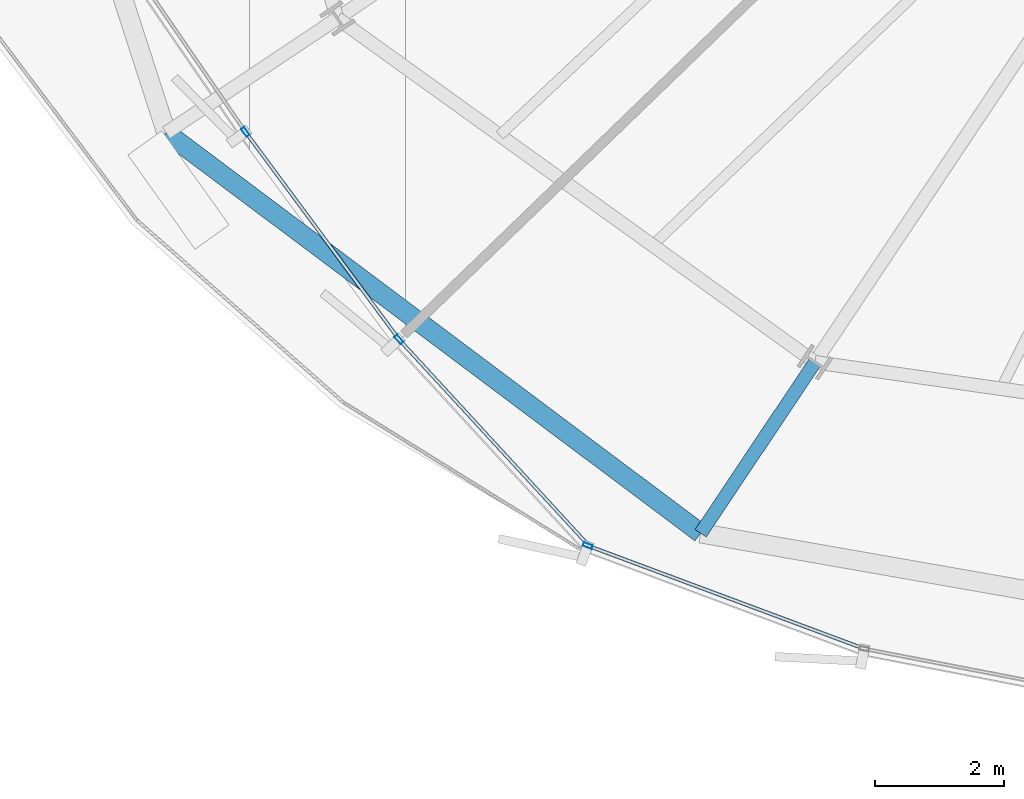
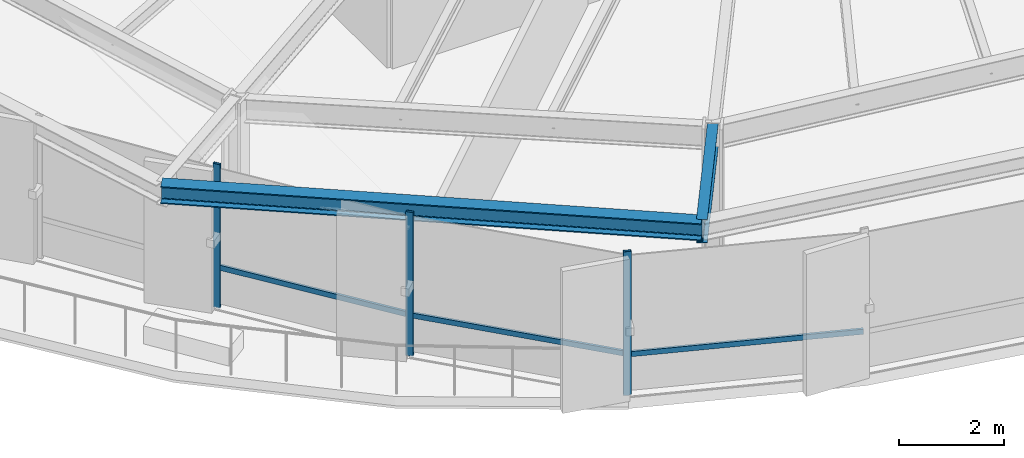
# One storey, part 2 of 33: 6 members, 2 beams, 1 element without a shape of its own.
"""IFC4 building model written with IfcOpenShell, lengths in metres."""

from ifc_helpers import new_model, si_unit, direction, frame, origin, origin_2d, place, context, subcontext, project, spatial, hollow_rectangle, i_section, extrude, source, transform, mapped, material, layer, layer_set, material_profile, profile_set, type_object, element, aggregate, save


model = new_model("IFC4")

# Units and contexts
model_context = context("Model", 3, precision=1e-05, world=origin(), true_north=direction((0.0, 1.0)))
body_context = subcontext(model_context, "Body", "Model", "MODEL_VIEW")
ifc_project = project(units=[si_unit("LENGTHUNIT", "METRE"), si_unit("AREAUNIT", "SQUARE_METRE"), si_unit("VOLUMEUNIT", "CUBIC_METRE"), si_unit("PLANEANGLEUNIT", "RADIAN"), si_unit("MASSUNIT", "GRAM", prefix="KILO"), si_unit("THERMODYNAMICTEMPERATUREUNIT", "KELVIN")], contexts=[model_context])

# Site, building, storey
site_placement = place(None, origin())
site = spatial("IfcSite", under=ifc_project, at=site_placement, CompositionType="ELEMENT")
building_placement = place(site_placement, origin())
building = spatial("IfcBuilding", under=site, at=building_placement, Name="Kethvar Cultural Tower", CompositionType="ELEMENT")
storey_placement = place(building_placement, frame((0.0, 0.0, 110.800048828125)))
storey = spatial("IfcBuildingStorey", under=building, at=storey_placement, Name="L27", CompositionType="ELEMENT", Elevation=110.800048828125)

# Beams
ifc_material_1 = material(Name="Steel S355J2", Category="steel")
ifc_material_profile_1 = material_profile(ifc_material_1, i_section(OverallWidth=0.2099609375, OverallDepth=0.550048828125, WebThickness=0.010986328125, FlangeThickness=0.01708984375, FilletRadius=0.02392578125, at=origin_2d()), Name="Steel S355J2 — IPE550")
ifc_profile_set_1 = profile_set([ifc_material_profile_1], Name="Steel S355J2 — IPE550")
beam_type_1 = type_object("IfcBeamType", Name="BM-IPE550", PredefinedType="BEAM", material=ifc_profile_set_1)
shared_shape_1 = source(origin(), body_context, "Body", "SweptSolid", [
    extrude(i_section(OverallWidth=0.2099609375, OverallDepth=0.550048828125, WebThickness=0.010986328125, FlangeThickness=0.01708984375, FilletRadius=0.02392578125, at=origin_2d()), origin(), (0.0, 0.0, 1.0), 3.199951171875),
])
beam_1_placement = place(storey_placement, frame((34.350830078125, 9.16845703125, 3.072998046875), z_axis=(-0.555580212716, -0.831462943996, 0.0), x_axis=(0.831462943996, -0.555580212716, 0.0)))
element("IfcBeam", 1, at=beam_1_placement, inside=storey, type_object=beam_type_1, Name="L27 Perimeter Cantilever Beam RC-11", PredefinedType="BEAM", context=body_context, shape_type="MappedRepresentation", body=[
    mapped(shared_shape_1, transform((0.0, 0.0, 0.0), scale=1.0)),
])
ifc_material_profile_2 = material_profile(ifc_material_1, i_section(OverallWidth=0.300048828125, OverallDepth=0.39990234375, WebThickness=0.013427734375, FlangeThickness=0.02392578125, FilletRadius=0.027099609375, at=origin_2d()), Name="Steel S355J2 — HEB400")
ifc_profile_set_2 = profile_set([ifc_material_profile_2], Name="Steel S355J2 — HEB400")
beam_type_2 = type_object("IfcBeamType", Name="BM-SP400", PredefinedType="SPANDREL", material=ifc_profile_set_2)
shared_shape_2 = source(origin(), body_context, "Body", "SweptSolid", [
    extrude(i_section(OverallWidth=0.300048828125, OverallDepth=0.39990234375, WebThickness=0.013427734375, FlangeThickness=0.02392578125, FilletRadius=0.027099609375, at=origin_2d()), origin(), (0.0, 0.0, 1.0), 10.38916015625),
])
beam_2_placement = place(storey_placement, frame((24.260009765625, 12.7392578125, 3.14794921875), z_axis=(0.800152249906, -0.599796946449, 0.0), x_axis=(0.599796946449, 0.800152249906, 0.0)))
element("IfcBeam", 2, at=beam_2_placement, inside=storey, type_object=beam_type_2, Name="L27 Perimeter Spandrel Beam SP-10", PredefinedType="SPANDREL", context=body_context, shape_type="MappedRepresentation", body=[
    mapped(shared_shape_2, transform((0.0, 0.0, 0.0), scale=1.0)),
])

# Curtain wall, members
ifc_material_2 = material(Name="Aluminium 6063-T6", Category="aluminium")
ifc_layer = layer(ifc_material_2, 0.179931640625, Name="Aluminium 6063-T6", Category="aluminium")
ifc_layer_set = layer_set([ifc_layer], Name="Aluminium 6063-T6 (180 mm)")
curtain_wall_type = type_object("IfcCurtainWallType", Name="CW-SYS-03-Z2", PredefinedType="NOTDEFINED", material=ifc_layer_set)
curtain_wall_placement = place(storey_placement, origin())
curtain_wall = element("IfcCurtainWall", 3, at=curtain_wall_placement, inside=storey, type_object=curtain_wall_type, Name="L27 Curtain Wall Run 04", PredefinedType="NOTDEFINED")
ifc_material_profile_3 = material_profile(ifc_material_2, hollow_rectangle(XDim=0.06005859375, YDim=0.14990234375, WallThickness=0.0048828125, at=origin_2d()), Name="Aluminium 6063-T6 — RHS150x60x5")
ifc_profile_set_3 = profile_set([ifc_material_profile_3], Name="Aluminium 6063-T6 — RHS150x60x5")
member_type_1 = type_object("IfcMemberType", Name="CW-SYS-03-Z2-MUL", PredefinedType="MULLION", material=ifc_profile_set_3)
shared_shape_3 = source(origin(), body_context, "Body", "SweptSolid", [
    extrude(hollow_rectangle(XDim=0.06005859375, YDim=0.14990234375, WallThickness=0.0048828125, at=origin_2d()), origin(), (0.0, 0.0, 1.0), 3.349853515625),
])
member_1_placement = place(storey_placement, frame((25.490478515625, 12.751708984375, 0.0), z_axis=(0.0, 0.0, 1.0), x_axis=(0.803784183305, 0.594920991954, 0.0)))
member_1 = element("IfcMember", 4, at=member_1_placement, type_object=member_type_1, Name="CW-L27-R04 Mullion 2", PredefinedType="MULLION", context=body_context, shape_type="MappedRepresentation", body=[
    mapped(shared_shape_3, transform((0.0, 0.0, 0.0), scale=1.0)),
])
member_2_placement = place(storey_placement, frame((27.878662109375, 9.524169921875, 0.0), z_axis=(0.0, 0.0, 1.0), x_axis=(0.735766215235, 0.677235613741, 0.0)))
member_2 = element("IfcMember", 5, at=member_2_placement, type_object=member_type_1, Name="CW-L27-R04 Mullion 3", PredefinedType="MULLION", context=body_context, shape_type="MappedRepresentation", body=[
    mapped(shared_shape_3, transform((0.0, 0.0, 0.0), scale=1.0)),
])
member_3_placement = place(storey_placement, frame((30.816650390625, 6.31396484375, 0.0), z_axis=(0.0, 0.0, 1.0), x_axis=(0.349275371331, 0.937020125174, 0.0)))
member_3 = element("IfcMember", 6, at=member_3_placement, type_object=member_type_1, Name="CW-L27-R04 Mullion 4", PredefinedType="MULLION", context=body_context, shape_type="MappedRepresentation", body=[
    mapped(shared_shape_3, transform((0.0, 0.0, 0.0), scale=1.0)),
])
ifc_material_profile_4 = material_profile(ifc_material_2, hollow_rectangle(XDim=0.054931640625, YDim=0.1201171875, WallThickness=0.00390625, at=origin_2d()), Name="Aluminium 6063-T6 — RHS120x55x4")
ifc_profile_set_4 = profile_set([ifc_material_profile_4], Name="Aluminium 6063-T6 — RHS120x55x4")
member_type_2 = type_object("IfcMemberType", Name="CW-SYS-03-Z2-TRN", PredefinedType="USERDEFINED", material=ifc_profile_set_4)
shared_shape_4 = source(origin(), body_context, "Body", "SweptSolid", [
    extrude(hollow_rectangle(XDim=0.054931640625, YDim=0.1201171875, WallThickness=0.00390625, at=origin_2d()), origin(), (0.0, 0.0, 1.0), 3.94091796875),
])
member_4_placement = place(storey_placement, frame((25.51611328125, 12.717041015625, 0.949951171875), z_axis=(0.594903048053, -0.803797464177, 0.0), x_axis=(0.803797464177, 0.594903048053, 0.0)))
member_4 = element("IfcMember", 7, at=member_4_placement, type_object=member_type_2, Name="CW-L27-R04 Transom 2", ObjectType="TRANSOM", PredefinedType="USERDEFINED", context=body_context, shape_type="MappedRepresentation", body=[
    mapped(shared_shape_4, transform((0.0, 0.0, 0.0), scale=1.0)),
])
shared_shape_5 = source(origin(), body_context, "Body", "SweptSolid", [
    extrude(hollow_rectangle(XDim=0.054931640625, YDim=0.1201171875, WallThickness=0.00390625, at=origin_2d()), origin(), (0.0, 0.0, 1.0), 4.317138671875),
])
member_5_placement = place(storey_placement, frame((27.907958984375, 9.4921875, 0.949951171875), z_axis=(0.677264775197, -0.735739372521, 0.0), x_axis=(0.735739372521, 0.677264775197, 0.0)))
member_5 = element("IfcMember", 8, at=member_5_placement, type_object=member_type_2, Name="CW-L27-R04 Transom 3", ObjectType="TRANSOM", PredefinedType="USERDEFINED", context=body_context, shape_type="MappedRepresentation", body=[
    mapped(shared_shape_5, transform((0.0, 0.0, 0.0), scale=1.0)),
])
shared_shape_6 = source(origin(), body_context, "Body", "SweptSolid", [
    extrude(hollow_rectangle(XDim=0.054931640625, YDim=0.1201171875, WallThickness=0.00390625, at=origin_2d()), origin(), (0.0, 0.0, 1.0), 4.523193359375),
])
member_6_placement = place(storey_placement, frame((30.85693359375, 6.298828125, 0.949951171875), z_axis=(0.937019431711, -0.349277231717, 0.0), x_axis=(0.349277231717, 0.937019431711, 0.0)))
member_6 = element("IfcMember", 9, at=member_6_placement, type_object=member_type_2, Name="CW-L27-R04 Transom 4", ObjectType="TRANSOM", PredefinedType="USERDEFINED", context=body_context, shape_type="MappedRepresentation", body=[
    mapped(shared_shape_6, transform((0.0, 0.0, 0.0), scale=1.0)),
])
aggregate(curtain_wall, [member_1, member_2, member_3, member_4, member_5, member_6])

save(model, "model.ifc")
